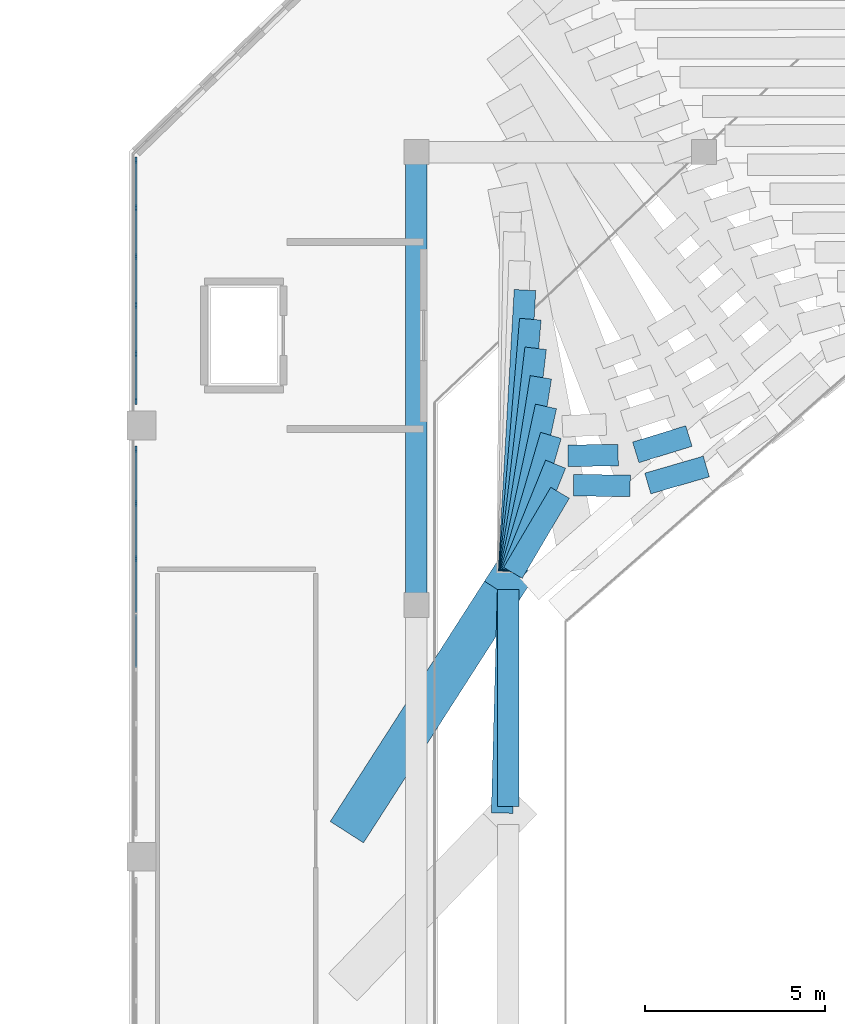
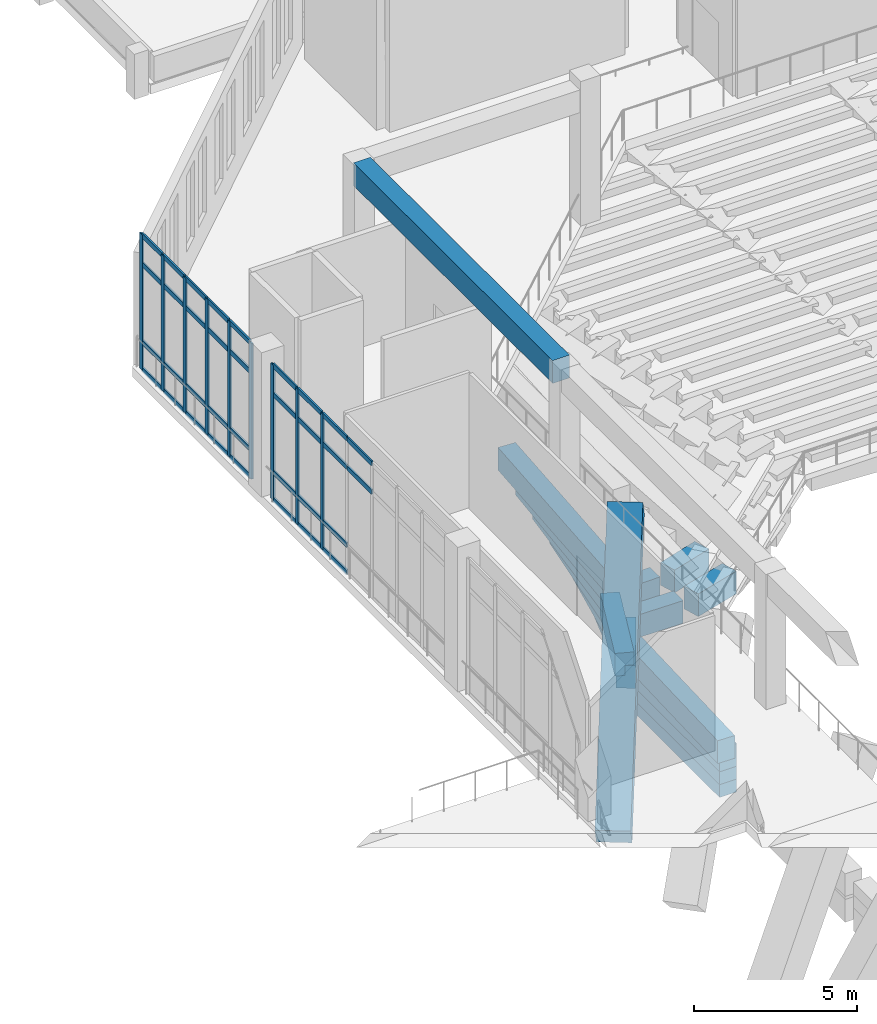
# One storey, part 19 of 55: 43 members, 18 beams, 2 elements without a shape of their own.
"""IFC4 building model written with IfcOpenShell, lengths in metres."""

import ifcopenshell
import ifcopenshell.guid

model = None  # the IFC model being written
_history = None  # IfcOwnerHistory: only IFC2X3 demands one
_inside = {}  # id of a spatial element -> (the spatial element, [elements in it])
_under = {}  # id of a project, library or spatial element -> (it, [spatial elements below it])
_declared = {}  # id of a project -> (the project, [libraries it declares])
_typed = {}  # id of a type object -> (the type object, [elements of that type])
_made_of = {}  # id of a material, layer set ... -> (it, [elements and type objects made of it])


def new_model(schema):
    """Start an empty IFC model of exactly this schema.

    Asked for "IFC4X3", IfcOpenShell would pick the latest addendum, in which some entities
    have other attributes; the version numbers below select the first issue.
    IFC2X3 requires an IfcOwnerHistory on every rooted entity: one is made here for all.
    """
    global model, _history
    if schema == "IFC4X3":
        model = ifcopenshell.file(schema_version=(4, 3, 0, 0))
    else:
        model = ifcopenshell.file(schema=schema)
    _inside.clear()
    _under.clear()
    _declared.clear()
    _typed.clear()
    _made_of.clear()
    _history = None
    if model.schema == "IFC2X3":
        org = make("IfcOrganization", Name="unknown")
        user = make(
            "IfcPersonAndOrganization",
            ThePerson=make("IfcPerson", FamilyName="unknown"),
            TheOrganization=org,
        )
        app = make(
            "IfcApplication",
            ApplicationDeveloper=org,
            Version="unknown",
            ApplicationFullName="unknown",
            ApplicationIdentifier="unknown",
        )
        _history = make(
            "IfcOwnerHistory",
            OwningUser=user,
            OwningApplication=app,
            ChangeAction="ADDED",
            CreationDate=0,
        )
    return model


def make(cls, **values):
    """One entity of the class cls with the attributes given. An attribute that is None is left unset."""
    return model.create_entity(
        cls, **{name: value for name, value in values.items() if value is not None}
    )


def rooted(cls, **values):
    """An entity with a GlobalId (a new one), such as an element, a storey or a relation."""
    return make(cls, GlobalId=ifcopenshell.guid.new(), OwnerHistory=_history, **values)


def si_unit(unit_type, name, prefix=None):
    """IfcSIUnit, for example si_unit("LENGTHUNIT", "METRE", prefix="MILLI")."""
    return make("IfcSIUnit", UnitType=unit_type, Prefix=prefix, Name=name)


def derived_unit(unit_type, elements):
    """IfcDerivedUnit: a product of units, each with its exponent."""
    return make(
        "IfcDerivedUnit",
        Elements=[
            make("IfcDerivedUnitElement", Unit=unit, Exponent=power)
            for unit, power in elements
        ],
        UnitType=unit_type,
    )


def assignment(units):
    """IfcUnitAssignment: the units of a project."""
    return None if units is None else make("IfcUnitAssignment", Units=units)


def point(xyz):
    """IfcCartesianPoint."""
    return None if xyz is None else make("IfcCartesianPoint", Coordinates=xyz)


def direction(xyz):
    """IfcDirection."""
    return None if xyz is None else make("IfcDirection", DirectionRatios=xyz)


def frame(location, z_axis=None, x_axis=None):
    """IfcAxis2Placement3D, a coordinate frame: its origin and axes. An axis left out is left unset."""
    return make(
        "IfcAxis2Placement3D",
        Location=point(location),
        Axis=direction(z_axis),
        RefDirection=direction(x_axis),
    )


def frame_2d(location, x_axis=None):
    """IfcAxis2Placement2D, a coordinate frame in the plane: its origin and x axis."""
    return make(
        "IfcAxis2Placement2D", Location=point(location), RefDirection=direction(x_axis)
    )


def origin():
    """The frame at (0, 0, 0) with its axes left unset."""
    return frame((0.0, 0.0, 0.0))


def origin_2d():
    """The frame at (0, 0) in the plane with its x axis left unset."""
    return frame_2d((0.0, 0.0))


def place(relative_to, where):
    """IfcLocalPlacement: puts the frame where relative to a parent placement (None: the world)."""
    return make(
        "IfcLocalPlacement", PlacementRelTo=relative_to, RelativePlacement=where
    )


def context(
    kind, dimensions, precision=None, world=None, true_north=None, identifier=None
):
    """IfcGeometricRepresentationContext, for example the 3D "Model" context."""
    return make(
        "IfcGeometricRepresentationContext",
        ContextIdentifier=identifier,
        ContextType=kind,
        CoordinateSpaceDimension=dimensions,
        Precision=precision,
        WorldCoordinateSystem=world,
        TrueNorth=true_north,
    )


def subcontext(parent, identifier, kind, view, scale=None):
    """IfcGeometricRepresentationSubContext, for example "Body" below "Model"."""
    return make(
        "IfcGeometricRepresentationSubContext",
        ContextIdentifier=identifier,
        ContextType=kind,
        ParentContext=parent,
        TargetScale=scale,
        TargetView=view,
    )


def project(units=None, contexts=None):
    """IfcProject with its units and contexts."""
    return rooted(
        "IfcProject",
        Name="project",
        RepresentationContexts=contexts,
        UnitsInContext=assignment(units),
    )


def spatial(cls, under=None, at=None, **own):
    """A site, building, storey or space (cls), placed at a placement, below another one or the project."""
    s = rooted(cls, ObjectPlacement=at, **own)
    if under is not None:
        _under.setdefault(under.id(), (under, []))[1].append(s)
    return s


def profile(cls, at=None, kind="AREA", **sizes):
    """A parametric profile (cls). Its sizes go by their IFC names, for example OverallWidth=200.0."""
    return make(cls, ProfileType=kind, Position=at, **sizes)


def rectangle(**sizes):
    """IfcRectangleProfileDef."""
    return profile("IfcRectangleProfileDef", **sizes)


def extrude(swept, where, along, depth):
    """IfcExtrudedAreaSolid: the profile swept, set in the frame where, extruded along a direction by depth."""
    return make(
        "IfcExtrudedAreaSolid",
        SweptArea=swept,
        Position=where,
        ExtrudedDirection=direction(along),
        Depth=depth,
    )


def shape(context_of_items, identifier, shape_type, items):
    """IfcShapeRepresentation: the items that make up one representation, for example the "Body"."""
    return make(
        "IfcShapeRepresentation",
        ContextOfItems=context_of_items,
        RepresentationIdentifier=identifier,
        RepresentationType=shape_type,
        Items=items,
    )


def material(Name=None, Category=None):
    """IfcMaterial."""
    return make("IfcMaterial", Name=Name, Category=Category)


def layer(
    of_material, thickness, ventilated=None, Name=None, Category=None, Priority=None
):
    """IfcMaterialLayer: one layer of a wall or slab, of a material (None: an air gap)."""
    return make(
        "IfcMaterialLayer",
        Material=of_material,
        LayerThickness=thickness,
        IsVentilated=ventilated,
        Name=Name,
        Category=Category,
        Priority=Priority,
    )


def layer_set(layers, Name=None):
    """IfcMaterialLayerSet."""
    return make("IfcMaterialLayerSet", MaterialLayers=layers, LayerSetName=Name)


def material_profile(
    of_material, cross_section, Name=None, Category=None, Priority=None
):
    """IfcMaterialProfile: a cross section and its material."""
    return make(
        "IfcMaterialProfile",
        Name=Name,
        Material=of_material,
        Profile=cross_section,
        Priority=Priority,
        Category=Category,
    )


def profile_set(profiles, Name=None, composite=None):
    """IfcMaterialProfileSet."""
    return make(
        "IfcMaterialProfileSet",
        Name=Name,
        MaterialProfiles=profiles,
        CompositeProfile=composite,
    )


def made_of(thing, what):
    """Note that an element or type object is made of a material, layer set ...; save() writes the relation."""
    if what is not None:
        _made_of.setdefault(what.id(), (what, []))[1].append(thing)
    return thing


def type_object(cls, material=None, **own):
    """A type object (cls), such as IfcWallType, which elements share."""
    return made_of(rooted(cls, **own), material)


def element(
    cls,
    number,
    at=None,
    inside=None,
    cuts=None,
    type_object=None,
    material=None,
    context=None,
    identifier="Body",
    shape_type=None,
    held_by="IfcProductDefinitionShape",
    body=None,
    shapes=None,
    **own,
):
    """One element of the class cls, such as IfcWall. Its Tag is "e" and its number.

    at: its placement. inside: the storey or other place that contains it. cuts: it is an
    opening in that element (IfcRelVoidsElement). A single representation is given by context,
    identifier, shape_type and body (its items); several are given by shapes. held_by: the class
    of the entity that holds the representations. save() writes the other relations.
    """
    e = rooted(cls, Tag="e%d" % number, ObjectPlacement=at, **own)
    if body is not None:
        shapes = [shape(context, identifier, shape_type, body)]
    if shapes is not None:
        e.Representation = make(held_by, Representations=shapes)
    if inside is not None:
        _inside.setdefault(inside.id(), (inside, []))[1].append(e)
    if cuts is not None:
        rooted(
            "IfcRelVoidsElement", RelatingBuildingElement=cuts, RelatedOpeningElement=e
        )
    if type_object is not None:
        _typed.setdefault(type_object.id(), (type_object, []))[1].append(e)
    return made_of(e, material)


def aggregate(whole, parts):
    """IfcRelAggregates: a whole, such as a stair, and the parts it consists of."""
    return rooted("IfcRelAggregates", RelatingObject=whole, RelatedObjects=parts)


def save(model, path):
    """Write the relations noted so far, then the file.

    IfcRelAggregates (storeys below a building ...), IfcRelContainedInSpatialStructure (elements
    in a storey), IfcRelDefinesByType, IfcRelAssociatesMaterial and IfcRelDeclares: one each for
    every whole, place, type object, material and project.
    """
    for whole, parts in _under.values():
        aggregate(whole, parts)
    for where, things in _inside.values():
        rooted(
            "IfcRelContainedInSpatialStructure",
            RelatedElements=things,
            RelatingStructure=where,
        )
    for kind, things in _typed.values():
        rooted("IfcRelDefinesByType", RelatedObjects=things, RelatingType=kind)
    for what, things in _made_of.values():
        rooted("IfcRelAssociatesMaterial", RelatedObjects=things, RelatingMaterial=what)
    for by, libraries in _declared.values():
        rooted("IfcRelDeclares", RelatingContext=by, RelatedDefinitions=libraries)
    model.write(path)


model = new_model("IFC4")

# Units and contexts
model_context = context("Model", 3, precision=1e-05, world=origin(), true_north=direction((0.0, 1.0)))
body_context = subcontext(model_context, "Body", "Model", "MODEL_VIEW")
ifc_project = project(units=[si_unit("LENGTHUNIT", "METRE"), si_unit("AREAUNIT", "SQUARE_METRE"), si_unit("VOLUMEUNIT", "CUBIC_METRE"), si_unit("PLANEANGLEUNIT", "RADIAN"), si_unit("MASSUNIT", "GRAM", prefix="KILO"), derived_unit("THERMALTRANSMITTANCEUNIT", [(si_unit("MASSUNIT", "GRAM", prefix="KILO"), 1), (si_unit("TIMEUNIT", "SECOND"), -3), (si_unit("THERMODYNAMICTEMPERATUREUNIT", "KELVIN"), -1)])], contexts=[model_context])

# Site, building, storey
site_placement = place(None, origin())
site = spatial("IfcSite", under=ifc_project, at=site_placement, CompositionType="ELEMENT")
building_placement = place(site_placement, origin())
building = spatial("IfcBuilding", under=site, at=building_placement, Name="Valcora Ridge Arena", CompositionType="ELEMENT")
storey_placement = place(building_placement, frame((0.0, 0.0, 21.0)))
storey = spatial("IfcBuildingStorey", under=building, at=storey_placement, Name="L04", CompositionType="ELEMENT", Elevation=21.0)

# Beams
ifc_material_1 = material(Name="Concrete C40/50", Category="concrete")
ifc_material_profile_1 = material_profile(ifc_material_1, rectangle(XDim=0.60009765625, YDim=0.85009765625, at=origin_2d()), Name="RC 600x850")
ifc_profile_set_1 = profile_set([ifc_material_profile_1], Name="Concrete C40/50")
beam_type_1 = type_object("IfcBeamType", Name="TY-BEAM-B-RC600-X", PredefinedType="BEAM", material=ifc_profile_set_1)
beam_1_placement = place(storey_placement, frame((32.0625, 86.8564453125, -8.22509765625), z_axis=(-0.960164384448, -0.279435779452, 0.0), x_axis=(0.279435779452, -0.960164384448, 0.0)))
element("IfcBeam", 1, at=beam_1_placement, inside=storey, type_object=beam_type_1, Name="B-RC600-X BEM-RU3-B-RC600-X-0041", PredefinedType="BEAM", context=body_context, shape_type="SweptSolid", body=[
    extrude(rectangle(XDim=0.60009765625, YDim=0.85009765625, at=origin_2d()), origin(), (0.0, 0.0, 1.0), 1.695068359375),
])
beam_2_placement = place(storey_placement, frame((29.945068359375, 86.31640625, -8.22509765625), z_axis=(-0.999913123723, 0.013181236898, 0.0), x_axis=(-0.013181236898, -0.999913123723, 0.0)))
element("IfcBeam", 2, at=beam_2_placement, inside=storey, type_object=beam_type_1, Name="B-RC600-X BEM-RU3-B-RC600-X-0042", PredefinedType="BEAM", context=body_context, shape_type="SweptSolid", body=[
    extrude(rectangle(XDim=0.60009765625, YDim=0.85009765625, at=origin_2d()), origin(), (0.0, 0.0, 1.0), 1.574462890625),
])
beam_3_placement = place(storey_placement, frame((27.993896484375, 86.125, -8.22509765625), z_axis=(-0.50715229186, -0.861856457225, 0.0), x_axis=(0.861856457225, -0.50715229186, 0.0)))
element("IfcBeam", 3, at=beam_3_placement, inside=storey, type_object=beam_type_1, Name="B-RC600-X BEM-RU3-B-RC600-X-0043", PredefinedType="BEAM", context=body_context, shape_type="SweptSolid", body=[
    extrude(rectangle(XDim=0.60009765625, YDim=0.85009765625, at=origin_2d()), origin(), (0.0, 0.0, 1.0), 2.583251953125),
])
beam_4_placement = place(storey_placement, frame((26.55712890625, 83.43310546875, -8.22509765625), z_axis=(0.0, -1.0, 0.0), x_axis=(1.0, 0.0, 0.0)))
element("IfcBeam", 4, at=beam_4_placement, inside=storey, type_object=beam_type_1, Name="B-RC600-X BEM-RU3-B-RC600-X-0044", PredefinedType="BEAM", context=body_context, shape_type="SweptSolid", body=[
    extrude(rectangle(XDim=0.60009765625, YDim=0.85009765625, at=origin_2d()), origin(), (0.0, 0.0, 1.0), 6.027587890625),
])
beam_5_placement = place(storey_placement, frame((31.577880859375, 87.704345703125, -7.7451171875), z_axis=(-0.955768767671, -0.29411913019, 0.0), x_axis=(0.29411913019, -0.955768767671, 0.0)))
element("IfcBeam", 5, at=beam_5_placement, inside=storey, type_object=beam_type_1, Name="B-RC600-X BEM-RU3-B-RC600-X-0092", PredefinedType="BEAM", context=body_context, shape_type="SweptSolid", body=[
    extrude(rectangle(XDim=0.60009765625, YDim=0.85009765625, at=origin_2d()), origin(), (0.0, 0.0, 1.0), 1.54638671875),
])
beam_6_placement = place(storey_placement, frame((29.611083984375, 87.172607421875, -7.7451171875), z_axis=(-0.999913960061, -0.013117639847, 0.0), x_axis=(0.013117639847, -0.999913960061, 0.0)))
element("IfcBeam", 6, at=beam_6_placement, inside=storey, type_object=beam_type_1, Name="B-RC600-X BEM-RU3-B-RC600-X-0093", PredefinedType="BEAM", context=body_context, shape_type="SweptSolid", body=[
    extrude(rectangle(XDim=0.60009765625, YDim=0.85009765625, at=origin_2d()), origin(), (0.0, 0.0, 1.0), 1.395751953125),
])
beam_7_placement = place(storey_placement, frame((27.871337890625, 86.919677734375, -7.7451171875), z_axis=(-0.376239737663, -0.926522347169, 0.0), x_axis=(0.926522347169, -0.376239737663, 0.0)))
element("IfcBeam", 7, at=beam_7_placement, inside=storey, type_object=beam_type_1, Name="B-RC600-X BEM-RU3-B-RC600-X-0094", PredefinedType="BEAM", context=body_context, shape_type="SweptSolid", body=[
    extrude(rectangle(XDim=0.60009765625, YDim=0.85009765625, at=origin_2d()), origin(), (0.0, 0.0, 1.0), 3.2431640625),
])
beam_8_placement = place(storey_placement, frame((26.55712890625, 83.43310546875, -7.7451171875), z_axis=(0.0, -1.0, 0.0), x_axis=(1.0, 0.0, 0.0)))
element("IfcBeam", 8, at=beam_8_placement, inside=storey, type_object=beam_type_1, Name="B-RC600-X BEM-RU3-B-RC600-X-0095", PredefinedType="BEAM", context=body_context, shape_type="SweptSolid", body=[
    extrude(rectangle(XDim=0.60009765625, YDim=0.85009765625, at=origin_2d()), origin(), (0.0, 0.0, 1.0), 6.027587890625),
])
beam_9_placement = place(storey_placement, frame((27.73974609375, 87.7216796875, -7.264892578125), z_axis=(-0.281020694389, -0.959701708514, 0.0), x_axis=(0.959701708514, -0.281020694389, 0.0)))
element("IfcBeam", 9, at=beam_9_placement, inside=storey, type_object=beam_type_1, Name="B-RC600-X BEM-RU3-B-RC600-X-0145", PredefinedType="BEAM", context=body_context, shape_type="SweptSolid", body=[
    extrude(rectangle(XDim=0.60009765625, YDim=0.85009765625, at=origin_2d()), origin(), (0.0, 0.0, 1.0), 3.9580078125),
])
beam_10_placement = place(storey_placement, frame((26.55712890625, 83.43310546875, -7.264892578125), z_axis=(0.0, -1.0, 0.0), x_axis=(1.0, 0.0, 0.0)))
element("IfcBeam", 10, at=beam_10_placement, inside=storey, type_object=beam_type_1, Name="B-RC600-X BEM-RU3-B-RC600-X-0146", PredefinedType="BEAM", context=body_context, shape_type="SweptSolid", body=[
    extrude(rectangle(XDim=0.60009765625, YDim=0.85009765625, at=origin_2d()), origin(), (0.0, 0.0, 1.0), 6.027587890625),
])
beam_11_placement = place(storey_placement, frame((27.60205078125, 88.527587890625, -6.784912109375), z_axis=(-0.210839816319, -0.977520624772, 0.0), x_axis=(0.977520624772, -0.210839816319, 0.0)))
element("IfcBeam", 11, at=beam_11_placement, inside=storey, type_object=beam_type_1, Name="B-RC600-X BEM-RU3-B-RC600-X-0194", PredefinedType="BEAM", context=body_context, shape_type="SweptSolid", body=[
    extrude(rectangle(XDim=0.60009765625, YDim=0.85009765625, at=origin_2d()), origin(), (0.0, 0.0, 1.0), 4.705810546875),
])
beam_12_placement = place(storey_placement, frame((26.55029296875, 83.433349609375, -6.784912109375), z_axis=(-0.026896271945, -0.999638229839, 0.0), x_axis=(0.999638229839, -0.026896271945, 0.0)))
element("IfcBeam", 12, at=beam_12_placement, inside=storey, type_object=beam_type_1, Name="B-RC600-X BEM-RU3-B-RC600-X-0195", PredefinedType="BEAM", context=body_context, shape_type="SweptSolid", body=[
    extrude(rectangle(XDim=0.60009765625, YDim=0.85009765625, at=origin_2d()), origin(), (0.0, 0.0, 1.0), 6.2177734375),
])
beam_13_placement = place(storey_placement, frame((27.4599609375, 89.33544921875, -6.304931640625), z_axis=(-0.157755660118, -0.987478177835, 0.0), x_axis=(0.987478177835, -0.157755660118, 0.0)))
element("IfcBeam", 13, at=beam_13_placement, inside=storey, type_object=beam_type_1, Name="B-RC600-X BEM-RU3-B-RC600-X-0237", PredefinedType="BEAM", context=body_context, shape_type="SweptSolid", body=[
    extrude(rectangle(XDim=0.60009765625, YDim=0.85009765625, at=origin_2d()), origin(), (0.0, 0.0, 1.0), 5.473876953125),
])
beam_14_placement = place(storey_placement, frame((27.315185546875, 90.144287109375, -5.824951171875), z_axis=(-0.116537808881, -0.993186255997, 0.0), x_axis=(0.993186255997, -0.116537808881, 0.0)))
element("IfcBeam", 14, at=beam_14_placement, inside=storey, type_object=beam_type_1, Name="B-RC600-X BEM-RU3-B-RC600-X-0273", PredefinedType="BEAM", context=body_context, shape_type="SweptSolid", body=[
    extrude(rectangle(XDim=0.60009765625, YDim=0.85009765625, at=origin_2d()), origin(), (0.0, 0.0, 1.0), 6.255615234375),
])
beam_15_placement = place(storey_placement, frame((27.16796875, 90.953369140625, -5.344970703125), z_axis=(-0.083750900843, -0.996486721742, 0.0), x_axis=(0.996486721742, -0.083750900843, 0.0)))
element("IfcBeam", 15, at=beam_15_placement, inside=storey, type_object=beam_type_1, Name="B-RC600-X BEM-RU3-B-RC600-X-0305", PredefinedType="BEAM", context=body_context, shape_type="SweptSolid", body=[
    extrude(rectangle(XDim=0.60009765625, YDim=0.85009765625, at=origin_2d()), origin(), (0.0, 0.0, 1.0), 7.045654296875),
])
beam_16_placement = place(storey_placement, frame((27.019287109375, 91.7626953125, -4.864990234375), z_axis=(-0.057123372458, -0.998367127022, 0.0), x_axis=(0.998367127022, -0.057123372458, 0.0)))
element("IfcBeam", 16, at=beam_16_placement, inside=storey, type_object=beam_type_1, Name="B-RC600-X BEM-RU3-B-RC600-X-0335", PredefinedType="BEAM", context=body_context, shape_type="SweptSolid", body=[
    extrude(rectangle(XDim=0.60009765625, YDim=0.85009765625, at=origin_2d()), origin(), (0.0, 0.0, 1.0), 7.842529296875),
])
ifc_material_profile_2 = material_profile(ifc_material_1, rectangle(XDim=0.60009765625, YDim=0.85009765625, at=origin_2d()), Name="RC 600x850")
ifc_profile_set_2 = profile_set([ifc_material_profile_2], Name="Concrete C40/50")
beam_type_2 = type_object("IfcBeamType", Name="TY-BEAM-B-RC600-Y", PredefinedType="BEAM", material=ifc_profile_set_2)
beam_17_placement = place(storey_placement, frame((24.0, 83.199951171875, 4.635009765625), z_axis=(0.0, 1.0, 0.0), x_axis=(-1.0, 0.0, 0.0)))
element("IfcBeam", 17, at=beam_17_placement, inside=storey, type_object=beam_type_2, Name="B-RC600-Y BEM-B-RC600-Y-0030", PredefinedType="BEAM", context=body_context, shape_type="SweptSolid", body=[
    extrude(rectangle(XDim=0.60009765625, YDim=0.85009765625, at=origin_2d()), origin(), (0.0, 0.0, 1.0), 12.199951171875),
])
ifc_material_2 = material(Name="Concrete C45/55", Category="concrete")
ifc_material_profile_3 = material_profile(ifc_material_2, rectangle(XDim=1.10009765625, YDim=1.39990234375, at=origin_2d()), Name="RC 1100x1400")
ifc_profile_set_3 = profile_set([ifc_material_profile_3], Name="Concrete C45/55")
beam_type_3 = type_object("IfcBeamType", Name="TY-BEAM-RKR-UPP-1400", PredefinedType="USERDEFINED", material=ifc_profile_set_3)
beam_18_placement = place(storey_placement, frame((22.31005859375, 77.0673828125, -8.52001953125), z_axis=(0.411877284861, 0.641583487435, 0.647091748415), x_axis=(-0.841517933576, 0.540229180506, 0.0)))
element("IfcBeam", 18, at=beam_18_placement, inside=storey, type_object=beam_type_3, Name="RKR-UPP-1400 BEM-RK-RKR-UPP-1400-0045", ObjectType="RAKER", PredefinedType="USERDEFINED", context=body_context, shape_type="SweptSolid", body=[
    extrude(rectangle(XDim=1.10009765625, YDim=1.39990234375, at=origin_2d()), origin(), (0.0, 0.0, 1.0), 10.415771484375),
])

# Curtain wall, members
ifc_material_3 = material(Name="Anodised dark bronze architectural aluminium 6063-T6", Category="aluminium")
ifc_layer_1 = layer(ifc_material_3, 0.179931640625, Name="Anodised dark bronze architectural aluminium 6063-T6")
ifc_layer_set_1 = layer_set([ifc_layer_1], Name="Anodised dark bronze architectural aluminium 6063-T6")
curtain_wall_type_1 = type_object("IfcCurtainWallType", Name="TY-CURTAINWALL-CW-V1-GOTH-107X51", PredefinedType="NOTDEFINED", material=ifc_layer_set_1)
curtain_wall_1_placement = place(storey_placement, origin())
curtain_wall_1 = element("IfcCurtainWall", 19, at=curtain_wall_1_placement, inside=storey, type_object=curtain_wall_type_1, Name="CW-V1-GOTH-107X51 CW-0151", PredefinedType="NOTDEFINED")
ifc_material_profile_4 = material_profile(ifc_material_3, rectangle(XDim=0.06005859375, YDim=0.179931640625, at=origin_2d()), Name="ALU MULLION 60x180")
ifc_profile_set_4 = profile_set([ifc_material_profile_4], Name="Anodised dark bronze architectural aluminium 6063-T6")
member_type_1 = type_object("IfcMemberType", Name="TY-MEM-CWM-60x180", PredefinedType="MULLION", material=ifc_profile_set_4)
member_1_placement = place(storey_placement, frame((16.199951171875, 84.297119140625, 0.0), z_axis=(0.0, 0.0, 1.0), x_axis=(-1.0, 0.0, 0.0)))
member_1 = element("IfcMember", 20, at=member_1_placement, type_object=member_type_1, Name="CW-0151/CWM-60x180/M05", PredefinedType="MULLION", context=body_context, shape_type="SweptSolid", body=[
    extrude(rectangle(XDim=0.06005859375, YDim=0.179931640625, at=origin_2d()), origin(), (0.0, 0.0, 1.0), 5.06005859375),
])
member_2_placement = place(storey_placement, frame((16.199951171875, 85.82861328125, 0.0), z_axis=(0.0, 0.0, 1.0), x_axis=(-1.0, 0.0, 0.0)))
member_2 = element("IfcMember", 21, at=member_2_placement, type_object=member_type_1, Name="CW-0151/CWM-60x180/M06", PredefinedType="MULLION", context=body_context, shape_type="SweptSolid", body=[
    extrude(rectangle(XDim=0.06005859375, YDim=0.179931640625, at=origin_2d()), origin(), (0.0, 0.0, 1.0), 5.06005859375),
])
member_3_placement = place(storey_placement, frame((16.199951171875, 87.330078125, 0.0), z_axis=(0.0, 0.0, 1.0), x_axis=(-1.0, 0.0, 0.0)))
member_3 = element("IfcMember", 22, at=member_3_placement, type_object=member_type_1, Name="CW-0151/CWM-60x180/M07", PredefinedType="MULLION", context=body_context, shape_type="SweptSolid", body=[
    extrude(rectangle(XDim=0.06005859375, YDim=0.179931640625, at=origin_2d()), origin(), (0.0, 0.0, 1.0), 5.06005859375),
])

ifc_layer_2 = layer(ifc_material_3, 0.179931640625, Name="Anodised dark bronze architectural aluminium 6063-T6")
ifc_layer_set_2 = layer_set([ifc_layer_2], Name="Anodised dark bronze architectural aluminium 6063-T6")
curtain_wall_type_2 = type_object("IfcCurtainWallType", Name="TY-CURTAINWALL-CW-V1-GOTH-068X51", PredefinedType="NOTDEFINED", material=ifc_layer_set_2)
curtain_wall_2_placement = place(storey_placement, origin())
curtain_wall_2 = element("IfcCurtainWall", 23, at=curtain_wall_2_placement, inside=storey, type_object=curtain_wall_type_2, Name="CW-V1-GOTH-068X51 CW-0152", PredefinedType="NOTDEFINED")
member_4_placement = place(storey_placement, frame((16.199951171875, 88.669921875, 0.0), z_axis=(0.0, 0.0, 1.0), x_axis=(-1.0, 0.0, 0.0)))
member_4 = element("IfcMember", 24, at=member_4_placement, type_object=member_type_1, Name="CW-0152/CWM-60x180/M00", PredefinedType="MULLION", context=body_context, shape_type="SweptSolid", body=[
    extrude(rectangle(XDim=0.06005859375, YDim=0.179931640625, at=origin_2d()), origin(), (0.0, 0.0, 1.0), 5.06005859375),
])
member_5_placement = place(storey_placement, frame((16.199951171875, 89.991943359375, 0.0), z_axis=(0.0, 0.0, 1.0), x_axis=(-1.0, 0.0, 0.0)))
member_5 = element("IfcMember", 25, at=member_5_placement, type_object=member_type_1, Name="CW-0152/CWM-60x180/M01", PredefinedType="MULLION", context=body_context, shape_type="SweptSolid", body=[
    extrude(rectangle(XDim=0.06005859375, YDim=0.179931640625, at=origin_2d()), origin(), (0.0, 0.0, 1.0), 5.06005859375),
])
member_6_placement = place(storey_placement, frame((16.199951171875, 91.343994140625, 0.0), z_axis=(0.0, 0.0, 1.0), x_axis=(-1.0, 0.0, 0.0)))
member_6 = element("IfcMember", 26, at=member_6_placement, type_object=member_type_1, Name="CW-0152/CWM-60x180/M02", PredefinedType="MULLION", context=body_context, shape_type="SweptSolid", body=[
    extrude(rectangle(XDim=0.06005859375, YDim=0.179931640625, at=origin_2d()), origin(), (0.0, 0.0, 1.0), 5.06005859375),
])
member_7_placement = place(storey_placement, frame((16.199951171875, 92.696044921875, 0.0), z_axis=(0.0, 0.0, 1.0), x_axis=(-1.0, 0.0, 0.0)))
member_7 = element("IfcMember", 27, at=member_7_placement, type_object=member_type_1, Name="CW-0152/CWM-60x180/M03", PredefinedType="MULLION", context=body_context, shape_type="SweptSolid", body=[
    extrude(rectangle(XDim=0.06005859375, YDim=0.179931640625, at=origin_2d()), origin(), (0.0, 0.0, 1.0), 5.06005859375),
])
member_8_placement = place(storey_placement, frame((16.199951171875, 94.048095703125, 0.0), z_axis=(0.0, 0.0, 1.0), x_axis=(-1.0, 0.0, 0.0)))
member_8 = element("IfcMember", 28, at=member_8_placement, type_object=member_type_1, Name="CW-0152/CWM-60x180/M04", PredefinedType="MULLION", context=body_context, shape_type="SweptSolid", body=[
    extrude(rectangle(XDim=0.06005859375, YDim=0.179931640625, at=origin_2d()), origin(), (0.0, 0.0, 1.0), 5.06005859375),
])
member_9_placement = place(storey_placement, frame((16.199951171875, 95.3701171875, 0.0), z_axis=(0.0, 0.0, 1.0), x_axis=(-1.0, 0.0, 0.0)))
member_9 = element("IfcMember", 29, at=member_9_placement, type_object=member_type_1, Name="CW-0152/CWM-60x180/M05", PredefinedType="MULLION", context=body_context, shape_type="SweptSolid", body=[
    extrude(rectangle(XDim=0.06005859375, YDim=0.179931640625, at=origin_2d()), origin(), (0.0, 0.0, 1.0), 5.06005859375),
])

# Member
ifc_material_profile_5 = material_profile(ifc_material_3, rectangle(XDim=0.06005859375, YDim=0.179931640625, at=origin_2d()), Name="ALU TRANSOM 60x180")
ifc_profile_set_5 = profile_set([ifc_material_profile_5], Name="Anodised dark bronze architectural aluminium 6063-T6")
member_type_2 = type_object("IfcMemberType", Name="TY-MEM-CWT-60x180", PredefinedType="USERDEFINED", material=ifc_profile_set_5)
member_10_placement = place(storey_placement, frame((16.199951171875, 81.263916015625, 3.9599609375), z_axis=(0.0, 1.0, 0.0), x_axis=(-1.0, 0.0, 0.0)))
member_10 = element("IfcMember", 30, at=member_10_placement, type_object=member_type_2, Name="CW-0151/CWT-60x180/T03-02", ObjectType="TRANSOM", PredefinedType="USERDEFINED", context=body_context, shape_type="SweptSolid", body=[
    extrude(rectangle(XDim=0.06005859375, YDim=0.179931640625, at=origin_2d()), origin(), (0.0, 0.0, 1.0), 1.47216796875),
])

member_11_placement = place(storey_placement, frame((16.199951171875, 81.263916015625, 5.030029296875), z_axis=(0.0, 1.0, 0.0), x_axis=(-1.0, 0.0, 0.0)))
member_11 = element("IfcMember", 31, at=member_11_placement, type_object=member_type_2, Name="CW-0151/CWT-60x180/T03-03", ObjectType="TRANSOM", PredefinedType="USERDEFINED", context=body_context, shape_type="SweptSolid", body=[
    extrude(rectangle(XDim=0.06005859375, YDim=0.179931640625, at=origin_2d()), origin(), (0.0, 0.0, 1.0), 1.47216796875),
])

member_12_placement = place(storey_placement, frame((16.199951171875, 82.7958984375, 0.030029296875), z_axis=(0.0, 1.0, 0.0), x_axis=(-1.0, 0.0, 0.0)))
member_12 = element("IfcMember", 32, at=member_12_placement, type_object=member_type_2, Name="CW-0151/CWT-60x180/T04-00", ObjectType="TRANSOM", PredefinedType="USERDEFINED", context=body_context, shape_type="SweptSolid", body=[
    extrude(rectangle(XDim=0.06005859375, YDim=0.179931640625, at=origin_2d()), origin(), (0.0, 0.0, 1.0), 1.47119140625),
])

member_13_placement = place(storey_placement, frame((16.199951171875, 82.7958984375, 1.050048828125), z_axis=(0.0, 1.0, 0.0), x_axis=(-1.0, 0.0, 0.0)))
member_13 = element("IfcMember", 33, at=member_13_placement, type_object=member_type_2, Name="CW-0151/CWT-60x180/T04-01", ObjectType="TRANSOM", PredefinedType="USERDEFINED", context=body_context, shape_type="SweptSolid", body=[
    extrude(rectangle(XDim=0.06005859375, YDim=0.179931640625, at=origin_2d()), origin(), (0.0, 0.0, 1.0), 1.47119140625),
])

member_14_placement = place(storey_placement, frame((16.199951171875, 82.7958984375, 3.9599609375), z_axis=(0.0, 1.0, 0.0), x_axis=(-1.0, 0.0, 0.0)))
member_14 = element("IfcMember", 34, at=member_14_placement, type_object=member_type_2, Name="CW-0151/CWT-60x180/T04-02", ObjectType="TRANSOM", PredefinedType="USERDEFINED", context=body_context, shape_type="SweptSolid", body=[
    extrude(rectangle(XDim=0.06005859375, YDim=0.179931640625, at=origin_2d()), origin(), (0.0, 0.0, 1.0), 1.47119140625),
])

member_15_placement = place(storey_placement, frame((16.199951171875, 82.7958984375, 5.030029296875), z_axis=(0.0, 1.0, 0.0), x_axis=(-1.0, 0.0, 0.0)))
member_15 = element("IfcMember", 35, at=member_15_placement, type_object=member_type_2, Name="CW-0151/CWT-60x180/T04-03", ObjectType="TRANSOM", PredefinedType="USERDEFINED", context=body_context, shape_type="SweptSolid", body=[
    extrude(rectangle(XDim=0.06005859375, YDim=0.179931640625, at=origin_2d()), origin(), (0.0, 0.0, 1.0), 1.47119140625),
])

member_16_placement = place(storey_placement, frame((16.199951171875, 84.326904296875, 0.030029296875), z_axis=(0.0, 1.0, 0.0), x_axis=(-1.0, 0.0, 0.0)))
member_16 = element("IfcMember", 36, at=member_16_placement, type_object=member_type_2, Name="CW-0151/CWT-60x180/T05-00", ObjectType="TRANSOM", PredefinedType="USERDEFINED", context=body_context, shape_type="SweptSolid", body=[
    extrude(rectangle(XDim=0.06005859375, YDim=0.179931640625, at=origin_2d()), origin(), (0.0, 0.0, 1.0), 1.47216796875),
])

member_17_placement = place(storey_placement, frame((16.199951171875, 84.326904296875, 1.050048828125), z_axis=(0.0, 1.0, 0.0), x_axis=(-1.0, 0.0, 0.0)))
member_17 = element("IfcMember", 37, at=member_17_placement, type_object=member_type_2, Name="CW-0151/CWT-60x180/T05-01", ObjectType="TRANSOM", PredefinedType="USERDEFINED", context=body_context, shape_type="SweptSolid", body=[
    extrude(rectangle(XDim=0.06005859375, YDim=0.179931640625, at=origin_2d()), origin(), (0.0, 0.0, 1.0), 1.47216796875),
])

member_18_placement = place(storey_placement, frame((16.199951171875, 84.326904296875, 3.9599609375), z_axis=(0.0, 1.0, 0.0), x_axis=(-1.0, 0.0, 0.0)))
member_18 = element("IfcMember", 38, at=member_18_placement, type_object=member_type_2, Name="CW-0151/CWT-60x180/T05-02", ObjectType="TRANSOM", PredefinedType="USERDEFINED", context=body_context, shape_type="SweptSolid", body=[
    extrude(rectangle(XDim=0.06005859375, YDim=0.179931640625, at=origin_2d()), origin(), (0.0, 0.0, 1.0), 1.47216796875),
])

member_19_placement = place(storey_placement, frame((16.199951171875, 84.326904296875, 5.030029296875), z_axis=(0.0, 1.0, 0.0), x_axis=(-1.0, 0.0, 0.0)))
member_19 = element("IfcMember", 39, at=member_19_placement, type_object=member_type_2, Name="CW-0151/CWT-60x180/T05-03", ObjectType="TRANSOM", PredefinedType="USERDEFINED", context=body_context, shape_type="SweptSolid", body=[
    extrude(rectangle(XDim=0.06005859375, YDim=0.179931640625, at=origin_2d()), origin(), (0.0, 0.0, 1.0), 1.47216796875),
])

member_20_placement = place(storey_placement, frame((16.199951171875, 85.85888671875, 0.030029296875), z_axis=(0.0, 1.0, 0.0), x_axis=(-1.0, 0.0, 0.0)))
member_20 = element("IfcMember", 40, at=member_20_placement, type_object=member_type_2, Name="CW-0151/CWT-60x180/T06-00", ObjectType="TRANSOM", PredefinedType="USERDEFINED", context=body_context, shape_type="SweptSolid", body=[
    extrude(rectangle(XDim=0.06005859375, YDim=0.179931640625, at=origin_2d()), origin(), (0.0, 0.0, 1.0), 1.441162109375),
])

member_21_placement = place(storey_placement, frame((16.199951171875, 85.85888671875, 1.050048828125), z_axis=(0.0, 1.0, 0.0), x_axis=(-1.0, 0.0, 0.0)))
member_21 = element("IfcMember", 41, at=member_21_placement, type_object=member_type_2, Name="CW-0151/CWT-60x180/T06-01", ObjectType="TRANSOM", PredefinedType="USERDEFINED", context=body_context, shape_type="SweptSolid", body=[
    extrude(rectangle(XDim=0.06005859375, YDim=0.179931640625, at=origin_2d()), origin(), (0.0, 0.0, 1.0), 1.441162109375),
])

member_22_placement = place(storey_placement, frame((16.199951171875, 85.85888671875, 3.9599609375), z_axis=(0.0, 1.0, 0.0), x_axis=(-1.0, 0.0, 0.0)))
member_22 = element("IfcMember", 42, at=member_22_placement, type_object=member_type_2, Name="CW-0151/CWT-60x180/T06-02", ObjectType="TRANSOM", PredefinedType="USERDEFINED", context=body_context, shape_type="SweptSolid", body=[
    extrude(rectangle(XDim=0.06005859375, YDim=0.179931640625, at=origin_2d()), origin(), (0.0, 0.0, 1.0), 1.441162109375),
])

member_23_placement = place(storey_placement, frame((16.199951171875, 85.85888671875, 5.030029296875), z_axis=(0.0, 1.0, 0.0), x_axis=(-1.0, 0.0, 0.0)))
member_23 = element("IfcMember", 43, at=member_23_placement, type_object=member_type_2, Name="CW-0151/CWT-60x180/T06-03", ObjectType="TRANSOM", PredefinedType="USERDEFINED", context=body_context, shape_type="SweptSolid", body=[
    extrude(rectangle(XDim=0.06005859375, YDim=0.179931640625, at=origin_2d()), origin(), (0.0, 0.0, 1.0), 1.441162109375),
])

aggregate(curtain_wall_1, [member_1, member_2, member_3, member_10, member_11, member_12, member_13, member_14, member_15, member_16, member_17, member_18, member_19, member_20, member_21, member_22, member_23])

member_24_placement = place(storey_placement, frame((16.199951171875, 88.699951171875, 0.030029296875), z_axis=(0.0, 1.0, 0.0), x_axis=(-1.0, 0.0, 0.0)))
member_24 = element("IfcMember", 44, at=member_24_placement, type_object=member_type_2, Name="CW-0152/CWT-60x180/T00-00", ObjectType="TRANSOM", PredefinedType="USERDEFINED", context=body_context, shape_type="SweptSolid", body=[
    extrude(rectangle(XDim=0.06005859375, YDim=0.179931640625, at=origin_2d()), origin(), (0.0, 0.0, 1.0), 1.261962890625),
])

member_25_placement = place(storey_placement, frame((16.199951171875, 88.699951171875, 1.050048828125), z_axis=(0.0, 1.0, 0.0), x_axis=(-1.0, 0.0, 0.0)))
member_25 = element("IfcMember", 45, at=member_25_placement, type_object=member_type_2, Name="CW-0152/CWT-60x180/T00-01", ObjectType="TRANSOM", PredefinedType="USERDEFINED", context=body_context, shape_type="SweptSolid", body=[
    extrude(rectangle(XDim=0.06005859375, YDim=0.179931640625, at=origin_2d()), origin(), (0.0, 0.0, 1.0), 1.261962890625),
])

member_26_placement = place(storey_placement, frame((16.199951171875, 88.699951171875, 3.9599609375), z_axis=(0.0, 1.0, 0.0), x_axis=(-1.0, 0.0, 0.0)))
member_26 = element("IfcMember", 46, at=member_26_placement, type_object=member_type_2, Name="CW-0152/CWT-60x180/T00-02", ObjectType="TRANSOM", PredefinedType="USERDEFINED", context=body_context, shape_type="SweptSolid", body=[
    extrude(rectangle(XDim=0.06005859375, YDim=0.179931640625, at=origin_2d()), origin(), (0.0, 0.0, 1.0), 1.261962890625),
])

member_27_placement = place(storey_placement, frame((16.199951171875, 88.699951171875, 5.030029296875), z_axis=(0.0, 1.0, 0.0), x_axis=(-1.0, 0.0, 0.0)))
member_27 = element("IfcMember", 47, at=member_27_placement, type_object=member_type_2, Name="CW-0152/CWT-60x180/T00-03", ObjectType="TRANSOM", PredefinedType="USERDEFINED", context=body_context, shape_type="SweptSolid", body=[
    extrude(rectangle(XDim=0.06005859375, YDim=0.179931640625, at=origin_2d()), origin(), (0.0, 0.0, 1.0), 1.261962890625),
])

member_28_placement = place(storey_placement, frame((16.199951171875, 90.02197265625, 0.030029296875), z_axis=(0.0, 1.0, 0.0), x_axis=(-1.0, 0.0, 0.0)))
member_28 = element("IfcMember", 48, at=member_28_placement, type_object=member_type_2, Name="CW-0152/CWT-60x180/T01-00", ObjectType="TRANSOM", PredefinedType="USERDEFINED", context=body_context, shape_type="SweptSolid", body=[
    extrude(rectangle(XDim=0.06005859375, YDim=0.179931640625, at=origin_2d()), origin(), (0.0, 0.0, 1.0), 1.2919921875),
])

member_29_placement = place(storey_placement, frame((16.199951171875, 90.02197265625, 1.050048828125), z_axis=(0.0, 1.0, 0.0), x_axis=(-1.0, 0.0, 0.0)))
member_29 = element("IfcMember", 49, at=member_29_placement, type_object=member_type_2, Name="CW-0152/CWT-60x180/T01-01", ObjectType="TRANSOM", PredefinedType="USERDEFINED", context=body_context, shape_type="SweptSolid", body=[
    extrude(rectangle(XDim=0.06005859375, YDim=0.179931640625, at=origin_2d()), origin(), (0.0, 0.0, 1.0), 1.2919921875),
])

member_30_placement = place(storey_placement, frame((16.199951171875, 90.02197265625, 3.9599609375), z_axis=(0.0, 1.0, 0.0), x_axis=(-1.0, 0.0, 0.0)))
member_30 = element("IfcMember", 50, at=member_30_placement, type_object=member_type_2, Name="CW-0152/CWT-60x180/T01-02", ObjectType="TRANSOM", PredefinedType="USERDEFINED", context=body_context, shape_type="SweptSolid", body=[
    extrude(rectangle(XDim=0.06005859375, YDim=0.179931640625, at=origin_2d()), origin(), (0.0, 0.0, 1.0), 1.2919921875),
])

member_31_placement = place(storey_placement, frame((16.199951171875, 90.02197265625, 5.030029296875), z_axis=(0.0, 1.0, 0.0), x_axis=(-1.0, 0.0, 0.0)))
member_31 = element("IfcMember", 51, at=member_31_placement, type_object=member_type_2, Name="CW-0152/CWT-60x180/T01-03", ObjectType="TRANSOM", PredefinedType="USERDEFINED", context=body_context, shape_type="SweptSolid", body=[
    extrude(rectangle(XDim=0.06005859375, YDim=0.179931640625, at=origin_2d()), origin(), (0.0, 0.0, 1.0), 1.2919921875),
])

member_32_placement = place(storey_placement, frame((16.199951171875, 91.3740234375, 0.030029296875), z_axis=(0.0, 1.0, 0.0), x_axis=(-1.0, 0.0, 0.0)))
member_32 = element("IfcMember", 52, at=member_32_placement, type_object=member_type_2, Name="CW-0152/CWT-60x180/T02-00", ObjectType="TRANSOM", PredefinedType="USERDEFINED", context=body_context, shape_type="SweptSolid", body=[
    extrude(rectangle(XDim=0.06005859375, YDim=0.179931640625, at=origin_2d()), origin(), (0.0, 0.0, 1.0), 1.2919921875),
])

member_33_placement = place(storey_placement, frame((16.199951171875, 91.3740234375, 1.050048828125), z_axis=(0.0, 1.0, 0.0), x_axis=(-1.0, 0.0, 0.0)))
member_33 = element("IfcMember", 53, at=member_33_placement, type_object=member_type_2, Name="CW-0152/CWT-60x180/T02-01", ObjectType="TRANSOM", PredefinedType="USERDEFINED", context=body_context, shape_type="SweptSolid", body=[
    extrude(rectangle(XDim=0.06005859375, YDim=0.179931640625, at=origin_2d()), origin(), (0.0, 0.0, 1.0), 1.2919921875),
])

member_34_placement = place(storey_placement, frame((16.199951171875, 91.3740234375, 3.9599609375), z_axis=(0.0, 1.0, 0.0), x_axis=(-1.0, 0.0, 0.0)))
member_34 = element("IfcMember", 54, at=member_34_placement, type_object=member_type_2, Name="CW-0152/CWT-60x180/T02-02", ObjectType="TRANSOM", PredefinedType="USERDEFINED", context=body_context, shape_type="SweptSolid", body=[
    extrude(rectangle(XDim=0.06005859375, YDim=0.179931640625, at=origin_2d()), origin(), (0.0, 0.0, 1.0), 1.2919921875),
])

member_35_placement = place(storey_placement, frame((16.199951171875, 91.3740234375, 5.030029296875), z_axis=(0.0, 1.0, 0.0), x_axis=(-1.0, 0.0, 0.0)))
member_35 = element("IfcMember", 55, at=member_35_placement, type_object=member_type_2, Name="CW-0152/CWT-60x180/T02-03", ObjectType="TRANSOM", PredefinedType="USERDEFINED", context=body_context, shape_type="SweptSolid", body=[
    extrude(rectangle(XDim=0.06005859375, YDim=0.179931640625, at=origin_2d()), origin(), (0.0, 0.0, 1.0), 1.2919921875),
])

member_36_placement = place(storey_placement, frame((16.199951171875, 92.72607421875, 0.030029296875), z_axis=(0.0, 1.0, 0.0), x_axis=(-1.0, 0.0, 0.0)))
member_36 = element("IfcMember", 56, at=member_36_placement, type_object=member_type_2, Name="CW-0152/CWT-60x180/T03-00", ObjectType="TRANSOM", PredefinedType="USERDEFINED", context=body_context, shape_type="SweptSolid", body=[
    extrude(rectangle(XDim=0.06005859375, YDim=0.179931640625, at=origin_2d()), origin(), (0.0, 0.0, 1.0), 1.2919921875),
])

member_37_placement = place(storey_placement, frame((16.199951171875, 92.72607421875, 1.050048828125), z_axis=(0.0, 1.0, 0.0), x_axis=(-1.0, 0.0, 0.0)))
member_37 = element("IfcMember", 57, at=member_37_placement, type_object=member_type_2, Name="CW-0152/CWT-60x180/T03-01", ObjectType="TRANSOM", PredefinedType="USERDEFINED", context=body_context, shape_type="SweptSolid", body=[
    extrude(rectangle(XDim=0.06005859375, YDim=0.179931640625, at=origin_2d()), origin(), (0.0, 0.0, 1.0), 1.2919921875),
])

member_38_placement = place(storey_placement, frame((16.199951171875, 92.72607421875, 3.9599609375), z_axis=(0.0, 1.0, 0.0), x_axis=(-1.0, 0.0, 0.0)))
member_38 = element("IfcMember", 58, at=member_38_placement, type_object=member_type_2, Name="CW-0152/CWT-60x180/T03-02", ObjectType="TRANSOM", PredefinedType="USERDEFINED", context=body_context, shape_type="SweptSolid", body=[
    extrude(rectangle(XDim=0.06005859375, YDim=0.179931640625, at=origin_2d()), origin(), (0.0, 0.0, 1.0), 1.2919921875),
])

member_39_placement = place(storey_placement, frame((16.199951171875, 92.72607421875, 5.030029296875), z_axis=(0.0, 1.0, 0.0), x_axis=(-1.0, 0.0, 0.0)))
member_39 = element("IfcMember", 59, at=member_39_placement, type_object=member_type_2, Name="CW-0152/CWT-60x180/T03-03", ObjectType="TRANSOM", PredefinedType="USERDEFINED", context=body_context, shape_type="SweptSolid", body=[
    extrude(rectangle(XDim=0.06005859375, YDim=0.179931640625, at=origin_2d()), origin(), (0.0, 0.0, 1.0), 1.2919921875),
])

member_40_placement = place(storey_placement, frame((16.199951171875, 94.077880859375, 0.030029296875), z_axis=(0.0, 1.0, 0.0), x_axis=(-1.0, 0.0, 0.0)))
member_40 = element("IfcMember", 60, at=member_40_placement, type_object=member_type_2, Name="CW-0152/CWT-60x180/T04-00", ObjectType="TRANSOM", PredefinedType="USERDEFINED", context=body_context, shape_type="SweptSolid", body=[
    extrude(rectangle(XDim=0.06005859375, YDim=0.179931640625, at=origin_2d()), origin(), (0.0, 0.0, 1.0), 1.26220703125),
])

member_41_placement = place(storey_placement, frame((16.199951171875, 94.077880859375, 1.050048828125), z_axis=(0.0, 1.0, 0.0), x_axis=(-1.0, 0.0, 0.0)))
member_41 = element("IfcMember", 61, at=member_41_placement, type_object=member_type_2, Name="CW-0152/CWT-60x180/T04-01", ObjectType="TRANSOM", PredefinedType="USERDEFINED", context=body_context, shape_type="SweptSolid", body=[
    extrude(rectangle(XDim=0.06005859375, YDim=0.179931640625, at=origin_2d()), origin(), (0.0, 0.0, 1.0), 1.26220703125),
])

member_42_placement = place(storey_placement, frame((16.199951171875, 94.077880859375, 3.9599609375), z_axis=(0.0, 1.0, 0.0), x_axis=(-1.0, 0.0, 0.0)))
member_42 = element("IfcMember", 62, at=member_42_placement, type_object=member_type_2, Name="CW-0152/CWT-60x180/T04-02", ObjectType="TRANSOM", PredefinedType="USERDEFINED", context=body_context, shape_type="SweptSolid", body=[
    extrude(rectangle(XDim=0.06005859375, YDim=0.179931640625, at=origin_2d()), origin(), (0.0, 0.0, 1.0), 1.26220703125),
])

member_43_placement = place(storey_placement, frame((16.199951171875, 94.077880859375, 5.030029296875), z_axis=(0.0, 1.0, 0.0), x_axis=(-1.0, 0.0, 0.0)))
member_43 = element("IfcMember", 63, at=member_43_placement, type_object=member_type_2, Name="CW-0152/CWT-60x180/T04-03", ObjectType="TRANSOM", PredefinedType="USERDEFINED", context=body_context, shape_type="SweptSolid", body=[
    extrude(rectangle(XDim=0.06005859375, YDim=0.179931640625, at=origin_2d()), origin(), (0.0, 0.0, 1.0), 1.26220703125),
])

aggregate(curtain_wall_2, [member_4, member_5, member_6, member_7, member_8, member_9, member_24, member_25, member_26, member_27, member_28, member_29, member_30, member_31, member_32, member_33, member_34, member_35, member_36, member_37, member_38, member_39, member_40, member_41, member_42, member_43])

save(model, "model.ifc")
